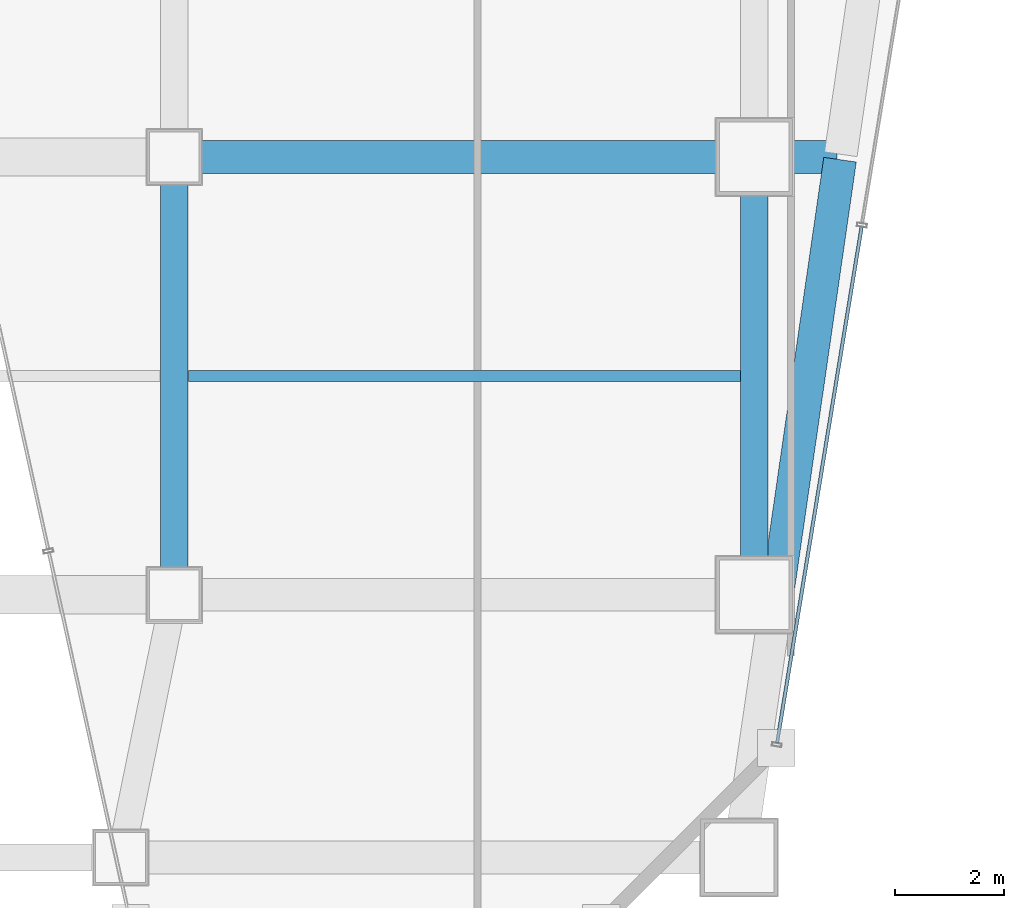
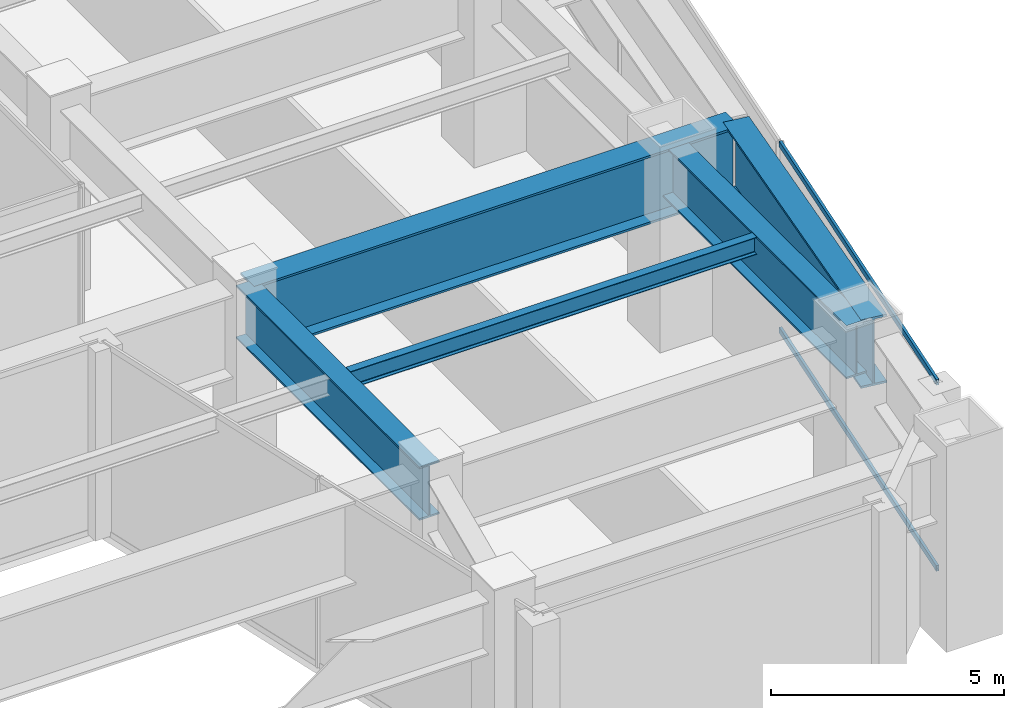
# One storey, part 20 of 42: 5 beams, 2 members, 1 element without a shape of its own.
"""IFC4 building model written with IfcOpenShell, lengths in metres."""

from ifc_helpers import new_model, si_unit, direction, frame, origin, origin_2d, place, context, subcontext, project, spatial, hollow_rectangle, i_section, extrude, material, material_profile, profile_set, type_object, element, aggregate, save


model = new_model("IFC4")

# Units and contexts
model_context = context("Model", 3, precision=1e-05, world=origin(), true_north=direction((0.0, 1.0)))
body_context = subcontext(model_context, "Body", "Model", "MODEL_VIEW")
ifc_project = project(units=[si_unit("LENGTHUNIT", "METRE"), si_unit("AREAUNIT", "SQUARE_METRE"), si_unit("VOLUMEUNIT", "CUBIC_METRE"), si_unit("PLANEANGLEUNIT", "RADIAN"), si_unit("MASSUNIT", "GRAM", prefix="KILO")], contexts=[model_context])

# Site, building, storey
site_placement = place(None, origin())
site = spatial("IfcSite", under=ifc_project, at=site_placement, CompositionType="ELEMENT")
building_placement = place(site_placement, origin())
building = spatial("IfcBuilding", under=site, at=building_placement, Name="Saevonmaru Cultural Tower", CompositionType="ELEMENT")
storey_placement = place(building_placement, frame((0.0, 0.0, 33.0)))
storey = spatial("IfcBuildingStorey", under=building, at=storey_placement, Name="L06", CompositionType="ELEMENT", Elevation=33.0)

# Beams
ifc_material_1 = material(Name="Steel SM355", Category="steel")
ifc_material_profile_1 = material_profile(ifc_material_1, i_section(OverallWidth=0.199951171875, OverallDepth=0.449951171875, WebThickness=0.009033203125, FlangeThickness=0.013916015625, FilletRadius=0.01806640625, at=origin_2d()), Name="H-450x200x9x14")
ifc_profile_set_1 = profile_set([ifc_material_profile_1], Name="Steel SM355")
beam_type_1 = type_object("IfcBeamType", Name="BM-J-H450", PredefinedType="JOIST", material=ifc_profile_set_1)
beam_1_placement = place(storey_placement, frame((37.4580078125, 12.0, 4.72509765625), z_axis=(1.0, 0.0, 0.0), x_axis=(0.0, 1.0, 0.0)))
element("IfcBeam", 1, at=beam_1_placement, inside=storey, type_object=beam_type_1, Name="L06 Secondary Floor Joist JE-1", PredefinedType="JOIST", context=body_context, shape_type="SweptSolid", body=[
    extrude(i_section(OverallWidth=0.199951171875, OverallDepth=0.449951171875, WebThickness=0.009033203125, FlangeThickness=0.013916015625, FilletRadius=0.01806640625, at=origin_2d()), origin(), (0.0, 0.0, 1.0), 10.083984375),
])
ifc_material_2 = material(Name="Steel HSA600 (600 MPa)", Category="steel")
ifc_material_profile_2 = material_profile(ifc_material_2, i_section(OverallWidth=0.5, OverallDepth=1.39990234375, WebThickness=0.02392578125, FlangeThickness=0.044921875, at=origin_2d()), Name="PG-1400x500x24x45")
ifc_profile_set_2 = profile_set([ifc_material_profile_2], Name="Steel HSA600 (600 MPa)")
beam_type_2 = type_object("IfcBeamType", Name="BM-TG-PG1400", PredefinedType="BEAM", material=ifc_profile_set_2)
for number, where, z_axis, x_axis, name in (
    (2, (37.199951171875, 8.06005859375, 4.25), (0.0, 1.0, 0.0), (-1.0, 0.0, 0.0), "L06 Podium Girder NS3-2"),
    (3, (47.800048828125, 8.06005859375, 4.25), (0.0, 1.0, 0.0), (-1.0, 0.0, 0.0), "L06 Podium Girder NS4-2"),
):
    element("IfcBeam", number, at=place(storey_placement, frame(where, z_axis=z_axis, x_axis=x_axis)), inside=storey, type_object=beam_type_2, Name=name, PredefinedType="BEAM", context=body_context, shape_type="SweptSolid", body=[
        extrude(i_section(OverallWidth=0.5, OverallDepth=1.39990234375, WebThickness=0.02392578125, FlangeThickness=0.044921875, at=origin_2d()), origin(), (0.0, 0.0, 1.0), 7.8798828125),
    ])
ifc_material_profile_3 = material_profile(ifc_material_2, i_section(OverallWidth=0.60009765625, OverallDepth=1.800048828125, WebThickness=0.028076171875, FlangeThickness=0.054931640625, at=origin_2d()), Name="PG-1800x600x28x55")
ifc_profile_set_3 = profile_set([ifc_material_profile_3], Name="Steel HSA600 (600 MPa)")
beam_type_3 = type_object("IfcBeamType", Name="BM-TG-PG1800", PredefinedType="BEAM", material=ifc_profile_set_3)
beam_2_placement = place(storey_placement, frame((37.260009765625, 16.0, 4.050048828125), z_axis=(1.0, 0.0, 0.0), x_axis=(0.0, 1.0, 0.0)))
element("IfcBeam", 4, at=beam_2_placement, inside=storey, type_object=beam_type_3, Name="L06 Transfer Plate Girder E-2", PredefinedType="BEAM", context=body_context, shape_type="SweptSolid", body=[
    extrude(i_section(OverallWidth=0.60009765625, OverallDepth=1.800048828125, WebThickness=0.028076171875, FlangeThickness=0.054931640625, at=origin_2d()), origin(), (0.0, 0.0, 1.0), 12.052001953125),
])
ifc_material_profile_4 = material_profile(ifc_material_2, i_section(OverallWidth=0.60009765625, OverallDepth=1.800048828125, WebThickness=0.028076171875, FlangeThickness=0.054931640625, at=origin_2d()), Name="PG-1800x600x28x55")
ifc_profile_set_4 = profile_set([ifc_material_profile_4], Name="Steel HSA600 (600 MPa)")
beam_type_4 = type_object("IfcBeamType", Name="BM-TG-PG1800-EXT", PredefinedType="SPANDREL", material=ifc_profile_set_4)
beam_3_placement = place(storey_placement, frame((48.22412109375, 8.049560546875, 4.050048828125), z_axis=(0.142915492353, 0.989734894831, 0.0), x_axis=(-0.989734894831, 0.142915492353, 0.0)))
element("IfcBeam", 5, at=beam_3_placement, inside=storey, type_object=beam_type_4, Name="L06 Perimeter Transfer Spandrel E-2", PredefinedType="SPANDREL", context=body_context, shape_type="SweptSolid", body=[
    extrude(i_section(OverallWidth=0.60009765625, OverallDepth=1.800048828125, WebThickness=0.028076171875, FlangeThickness=0.054931640625, at=origin_2d()), origin(), (0.0, 0.0, 1.0), 7.98291015625),
])

# Curtain wall, members
ifc_material_3 = material(Name="Satin Bronze Anodised Aluminium", Category="aluminium")
curtain_wall_type = type_object("IfcCurtainWallType", Name="CW-SKY-GLZ", PredefinedType="NOTDEFINED", material=ifc_material_3)
curtain_wall_placement = place(storey_placement, origin())
curtain_wall = element("IfcCurtainWall", 6, at=curtain_wall_placement, inside=storey, type_object=curtain_wall_type, Name="L06 Unitised Curtain Wall E8", PredefinedType="NOTDEFINED")
ifc_material_profile_5 = material_profile(ifc_material_3, hollow_rectangle(XDim=0.06494140625, YDim=0.14990234375, WallThickness=0.00390625, at=origin_2d()), Name="ALU-TRAN-150x65x4")
ifc_profile_set_5 = profile_set([ifc_material_profile_5], Name="Satin Bronze Anodised Aluminium")
member_type = type_object("IfcMemberType", Name="TR-CW-150x65", PredefinedType="USERDEFINED", material=ifc_profile_set_5)
member_1_placement = place(storey_placement, frame((48.21484375, 5.291259765625, 0.032470703125), z_axis=(0.161714267134, 0.986837623829, 0.0), x_axis=(-0.986837623829, 0.161714267134, 0.0)))
member_1 = element("IfcMember", 7, at=member_1_placement, type_object=member_type, Name="CW-TW-L06-E8 transom 1.1", ObjectType="TRANSOM", PredefinedType="USERDEFINED", context=body_context, shape_type="SweptSolid", body=[
    extrude(hollow_rectangle(XDim=0.06494140625, YDim=0.14990234375, WallThickness=0.00390625, at=origin_2d()), origin(), (0.0, 0.0, 1.0), 9.557861328125),
])
member_2_placement = place(storey_placement, frame((48.21484375, 5.291259765625, 4.91748046875), z_axis=(0.161714267134, 0.986837623829, 0.0), x_axis=(-0.986837623829, 0.161714267134, 0.0)))
member_2 = element("IfcMember", 8, at=member_2_placement, type_object=member_type, Name="CW-TW-L06-E8 transom 1.2", ObjectType="TRANSOM", PredefinedType="USERDEFINED", context=body_context, shape_type="SweptSolid", body=[
    extrude(hollow_rectangle(XDim=0.06494140625, YDim=0.14990234375, WallThickness=0.00390625, at=origin_2d()), origin(), (0.0, 0.0, 1.0), 9.557861328125),
])
aggregate(curtain_wall, [member_1, member_2])

save(model, "model.ifc")
